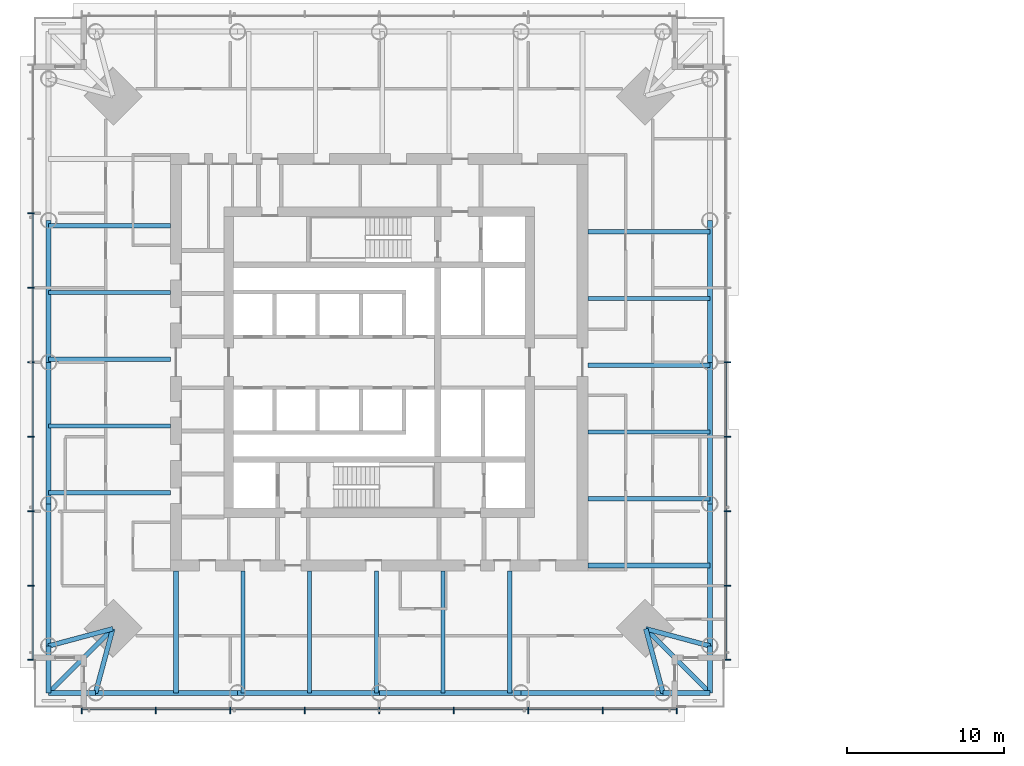
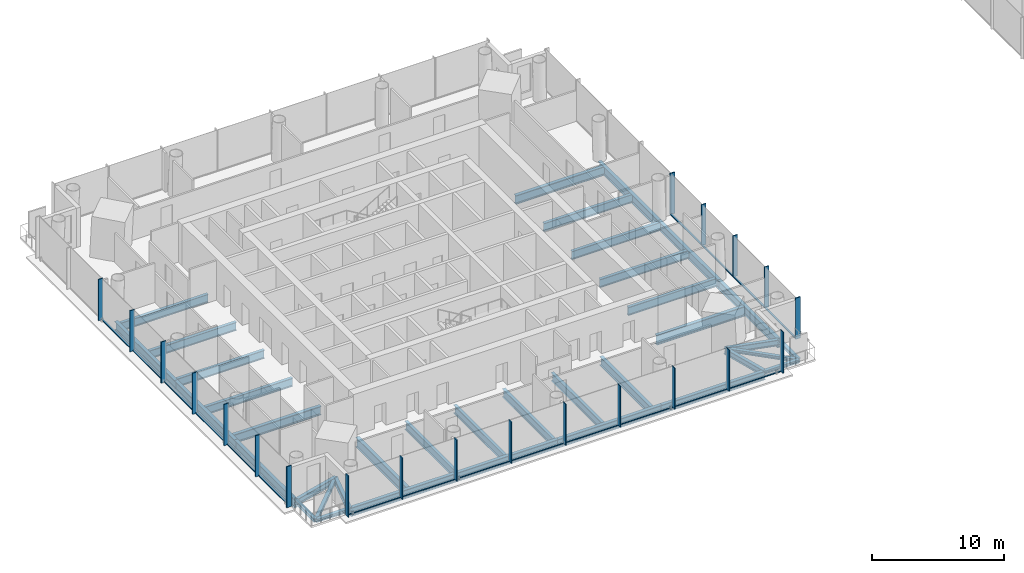
# One storey, part 2 of 27: 39 members, 37 beams, 3 elements without a shape of their own.
"""IFC4 building model written with IfcOpenShell, lengths in metres."""

import ifcopenshell
import ifcopenshell.guid

model = None  # the IFC model being written
_history = None  # IfcOwnerHistory: only IFC2X3 demands one
_inside = {}  # id of a spatial element -> (the spatial element, [elements in it])
_under = {}  # id of a project, library or spatial element -> (it, [spatial elements below it])
_declared = {}  # id of a project -> (the project, [libraries it declares])
_typed = {}  # id of a type object -> (the type object, [elements of that type])
_made_of = {}  # id of a material, layer set ... -> (it, [elements and type objects made of it])


def new_model(schema):
    """Start an empty IFC model of exactly this schema.

    Asked for "IFC4X3", IfcOpenShell would pick the latest addendum, in which some entities
    have other attributes; the version numbers below select the first issue.
    IFC2X3 requires an IfcOwnerHistory on every rooted entity: one is made here for all.
    """
    global model, _history
    if schema == "IFC4X3":
        model = ifcopenshell.file(schema_version=(4, 3, 0, 0))
    else:
        model = ifcopenshell.file(schema=schema)
    _inside.clear()
    _under.clear()
    _declared.clear()
    _typed.clear()
    _made_of.clear()
    _history = None
    if model.schema == "IFC2X3":
        org = make("IfcOrganization", Name="unknown")
        user = make(
            "IfcPersonAndOrganization",
            ThePerson=make("IfcPerson", FamilyName="unknown"),
            TheOrganization=org,
        )
        app = make(
            "IfcApplication",
            ApplicationDeveloper=org,
            Version="unknown",
            ApplicationFullName="unknown",
            ApplicationIdentifier="unknown",
        )
        _history = make(
            "IfcOwnerHistory",
            OwningUser=user,
            OwningApplication=app,
            ChangeAction="ADDED",
            CreationDate=0,
        )
    return model


def make(cls, **values):
    """One entity of the class cls with the attributes given. An attribute that is None is left unset."""
    return model.create_entity(
        cls, **{name: value for name, value in values.items() if value is not None}
    )


def rooted(cls, **values):
    """An entity with a GlobalId (a new one), such as an element, a storey or a relation."""
    return make(cls, GlobalId=ifcopenshell.guid.new(), OwnerHistory=_history, **values)


def si_unit(unit_type, name, prefix=None):
    """IfcSIUnit, for example si_unit("LENGTHUNIT", "METRE", prefix="MILLI")."""
    return make("IfcSIUnit", UnitType=unit_type, Prefix=prefix, Name=name)


def assignment(units):
    """IfcUnitAssignment: the units of a project."""
    return None if units is None else make("IfcUnitAssignment", Units=units)


def point(xyz):
    """IfcCartesianPoint."""
    return None if xyz is None else make("IfcCartesianPoint", Coordinates=xyz)


def direction(xyz):
    """IfcDirection."""
    return None if xyz is None else make("IfcDirection", DirectionRatios=xyz)


def frame(location, z_axis=None, x_axis=None):
    """IfcAxis2Placement3D, a coordinate frame: its origin and axes. An axis left out is left unset."""
    return make(
        "IfcAxis2Placement3D",
        Location=point(location),
        Axis=direction(z_axis),
        RefDirection=direction(x_axis),
    )


def frame_2d(location, x_axis=None):
    """IfcAxis2Placement2D, a coordinate frame in the plane: its origin and x axis."""
    return make(
        "IfcAxis2Placement2D", Location=point(location), RefDirection=direction(x_axis)
    )


def origin():
    """The frame at (0, 0, 0) with its axes left unset."""
    return frame((0.0, 0.0, 0.0))


def origin_2d():
    """The frame at (0, 0) in the plane with its x axis left unset."""
    return frame_2d((0.0, 0.0))


def place(relative_to, where):
    """IfcLocalPlacement: puts the frame where relative to a parent placement (None: the world)."""
    return make(
        "IfcLocalPlacement", PlacementRelTo=relative_to, RelativePlacement=where
    )


def context(
    kind, dimensions, precision=None, world=None, true_north=None, identifier=None
):
    """IfcGeometricRepresentationContext, for example the 3D "Model" context."""
    return make(
        "IfcGeometricRepresentationContext",
        ContextIdentifier=identifier,
        ContextType=kind,
        CoordinateSpaceDimension=dimensions,
        Precision=precision,
        WorldCoordinateSystem=world,
        TrueNorth=true_north,
    )


def subcontext(parent, identifier, kind, view, scale=None):
    """IfcGeometricRepresentationSubContext, for example "Body" below "Model"."""
    return make(
        "IfcGeometricRepresentationSubContext",
        ContextIdentifier=identifier,
        ContextType=kind,
        ParentContext=parent,
        TargetScale=scale,
        TargetView=view,
    )


def project(units=None, contexts=None):
    """IfcProject with its units and contexts."""
    return rooted(
        "IfcProject",
        Name="project",
        RepresentationContexts=contexts,
        UnitsInContext=assignment(units),
    )


def spatial(cls, under=None, at=None, **own):
    """A site, building, storey or space (cls), placed at a placement, below another one or the project."""
    s = rooted(cls, ObjectPlacement=at, **own)
    if under is not None:
        _under.setdefault(under.id(), (under, []))[1].append(s)
    return s


def profile(cls, at=None, kind="AREA", **sizes):
    """A parametric profile (cls). Its sizes go by their IFC names, for example OverallWidth=200.0."""
    return make(cls, ProfileType=kind, Position=at, **sizes)


def rectangle(**sizes):
    """IfcRectangleProfileDef."""
    return profile("IfcRectangleProfileDef", **sizes)


def i_section(**sizes):
    """IfcIShapeProfileDef."""
    return profile("IfcIShapeProfileDef", **sizes)


def extrude(swept, where, along, depth):
    """IfcExtrudedAreaSolid: the profile swept, set in the frame where, extruded along a direction by depth."""
    return make(
        "IfcExtrudedAreaSolid",
        SweptArea=swept,
        Position=where,
        ExtrudedDirection=direction(along),
        Depth=depth,
    )


def shape(context_of_items, identifier, shape_type, items):
    """IfcShapeRepresentation: the items that make up one representation, for example the "Body"."""
    return make(
        "IfcShapeRepresentation",
        ContextOfItems=context_of_items,
        RepresentationIdentifier=identifier,
        RepresentationType=shape_type,
        Items=items,
    )


def material(Name=None, Category=None):
    """IfcMaterial."""
    return make("IfcMaterial", Name=Name, Category=Category)


def material_profile(
    of_material, cross_section, Name=None, Category=None, Priority=None
):
    """IfcMaterialProfile: a cross section and its material."""
    return make(
        "IfcMaterialProfile",
        Name=Name,
        Material=of_material,
        Profile=cross_section,
        Priority=Priority,
        Category=Category,
    )


def profile_set(profiles, Name=None, composite=None):
    """IfcMaterialProfileSet."""
    return make(
        "IfcMaterialProfileSet",
        Name=Name,
        MaterialProfiles=profiles,
        CompositeProfile=composite,
    )


def made_of(thing, what):
    """Note that an element or type object is made of a material, layer set ...; save() writes the relation."""
    if what is not None:
        _made_of.setdefault(what.id(), (what, []))[1].append(thing)
    return thing


def type_object(cls, material=None, **own):
    """A type object (cls), such as IfcWallType, which elements share."""
    return made_of(rooted(cls, **own), material)


def element(
    cls,
    number,
    at=None,
    inside=None,
    cuts=None,
    type_object=None,
    material=None,
    context=None,
    identifier="Body",
    shape_type=None,
    held_by="IfcProductDefinitionShape",
    body=None,
    shapes=None,
    **own,
):
    """One element of the class cls, such as IfcWall. Its Tag is "e" and its number.

    at: its placement. inside: the storey or other place that contains it. cuts: it is an
    opening in that element (IfcRelVoidsElement). A single representation is given by context,
    identifier, shape_type and body (its items); several are given by shapes. held_by: the class
    of the entity that holds the representations. save() writes the other relations.
    """
    e = rooted(cls, Tag="e%d" % number, ObjectPlacement=at, **own)
    if body is not None:
        shapes = [shape(context, identifier, shape_type, body)]
    if shapes is not None:
        e.Representation = make(held_by, Representations=shapes)
    if inside is not None:
        _inside.setdefault(inside.id(), (inside, []))[1].append(e)
    if cuts is not None:
        rooted(
            "IfcRelVoidsElement", RelatingBuildingElement=cuts, RelatedOpeningElement=e
        )
    if type_object is not None:
        _typed.setdefault(type_object.id(), (type_object, []))[1].append(e)
    return made_of(e, material)


def aggregate(whole, parts):
    """IfcRelAggregates: a whole, such as a stair, and the parts it consists of."""
    return rooted("IfcRelAggregates", RelatingObject=whole, RelatedObjects=parts)


def save(model, path):
    """Write the relations noted so far, then the file.

    IfcRelAggregates (storeys below a building ...), IfcRelContainedInSpatialStructure (elements
    in a storey), IfcRelDefinesByType, IfcRelAssociatesMaterial and IfcRelDeclares: one each for
    every whole, place, type object, material and project.
    """
    for whole, parts in _under.values():
        aggregate(whole, parts)
    for where, things in _inside.values():
        rooted(
            "IfcRelContainedInSpatialStructure",
            RelatedElements=things,
            RelatingStructure=where,
        )
    for kind, things in _typed.values():
        rooted("IfcRelDefinesByType", RelatedObjects=things, RelatingType=kind)
    for what, things in _made_of.values():
        rooted("IfcRelAssociatesMaterial", RelatedObjects=things, RelatingMaterial=what)
    for by, libraries in _declared.values():
        rooted("IfcRelDeclares", RelatingContext=by, RelatedDefinitions=libraries)
    model.write(path)


model = new_model("IFC4")

# Units and contexts
model_context = context("Model", 3, precision=1e-05, world=origin(), true_north=direction((0.0, 1.0)))
body_context = subcontext(model_context, "Body", "Model", "MODEL_VIEW")
ifc_project = project(units=[si_unit("LENGTHUNIT", "METRE"), si_unit("AREAUNIT", "SQUARE_METRE"), si_unit("VOLUMEUNIT", "CUBIC_METRE"), si_unit("PLANEANGLEUNIT", "RADIAN"), si_unit("MASSUNIT", "GRAM", prefix="KILO")], contexts=[model_context])

# Site, building, storey
site_placement = place(None, origin())
site = spatial("IfcSite", under=ifc_project, at=site_placement, CompositionType="ELEMENT")
building_placement = place(site_placement, origin())
building = spatial("IfcBuilding", under=site, at=building_placement, Name="Ostroluk Exchange", CompositionType="ELEMENT")
storey_placement = place(building_placement, frame((0.0, 0.0, 112.199951171875)))
storey = spatial("IfcBuildingStorey", under=building, at=storey_placement, Name="L28", CompositionType="ELEMENT", Elevation=112.199951171875)

# Beams
ifc_material_1 = material(Name="Steel S355", Category="steel")
ifc_material_profile_1 = material_profile(ifc_material_1, i_section(OverallWidth=0.300048828125, OverallDepth=0.300048828125, WebThickness=0.010986328125, FlangeThickness=0.01904296875, FilletRadius=0.027099609375, at=origin_2d()), Name="HEB 300")
ifc_profile_set_1 = profile_set([ifc_material_profile_1], Name="Steel S355")
beam_type_1 = type_object("IfcBeamType", Name="Balcony beam HEB 300", PredefinedType="BEAM", material=ifc_profile_set_1)
for number, where, z_axis, x_axis, name in (
    (1, (23.914306640625, 27.914306640625, -0.329833984375), (0.0, -1.0, 0.0), (1.0, 0.0, 0.0), "T1 west balcony beam a"),
    (2, (26.914306640625, 24.914306640625, -0.329833984375), (-1.0, 0.0, 0.0), (0.0, -1.0, 0.0), "T1 west balcony beam b"),
):
    element("IfcBeam", number, at=place(storey_placement, frame(where, z_axis=z_axis, x_axis=x_axis)), inside=storey, type_object=beam_type_1, Name=name, PredefinedType="BEAM", context=body_context, shape_type="SweptSolid", body=[
        extrude(i_section(OverallWidth=0.300048828125, OverallDepth=0.300048828125, WebThickness=0.010986328125, FlangeThickness=0.01904296875, FilletRadius=0.027099609375, at=origin_2d()), origin(), (0.0, 0.0, 1.0), 3.0),
    ])
beam_1_placement = place(storey_placement, frame((28.014404296875, 29.014404296875, -0.329833984375), z_axis=(-0.707106781187, -0.707106781187, 0.0), x_axis=(0.707106781187, -0.707106781187, 0.0)))
element("IfcBeam", 3, at=beam_1_placement, inside=storey, type_object=beam_type_1, Name="T1 west balcony beam c", PredefinedType="BEAM", context=body_context, shape_type="SweptSolid", body=[
    extrude(i_section(OverallWidth=0.300048828125, OverallDepth=0.300048828125, WebThickness=0.010986328125, FlangeThickness=0.01904296875, FilletRadius=0.027099609375, at=origin_2d()), origin(), (0.0, 0.0, 1.0), 5.79833984375),
])
for number, where, z_axis, x_axis, name in (
    (4, (63.085693359375, 24.914306640625, -0.329833984375), (1.0, 0.0, 0.0), (0.0, 1.0, 0.0), "T1 south balcony beam a"),
    (5, (66.085693359375, 27.914306640625, -0.329833984375), (0.0, -1.0, 0.0), (1.0, 0.0, 0.0), "T1 south balcony beam b"),
):
    element("IfcBeam", number, at=place(storey_placement, frame(where, z_axis=z_axis, x_axis=x_axis)), inside=storey, type_object=beam_type_1, Name=name, PredefinedType="BEAM", context=body_context, shape_type="SweptSolid", body=[
        extrude(i_section(OverallWidth=0.300048828125, OverallDepth=0.300048828125, WebThickness=0.010986328125, FlangeThickness=0.01904296875, FilletRadius=0.027099609375, at=origin_2d()), origin(), (0.0, 0.0, 1.0), 3.0),
    ])
beam_2_placement = place(storey_placement, frame((61.985595703125, 29.014404296875, -0.329833984375), z_axis=(0.707106781187, -0.707106781187, 0.0), x_axis=(0.707106781187, 0.707106781187, 0.0)))
element("IfcBeam", 6, at=beam_2_placement, inside=storey, type_object=beam_type_1, Name="T1 south balcony beam c", PredefinedType="BEAM", context=body_context, shape_type="SweptSolid", body=[
    extrude(i_section(OverallWidth=0.300048828125, OverallDepth=0.300048828125, WebThickness=0.010986328125, FlangeThickness=0.01904296875, FilletRadius=0.027099609375, at=origin_2d()), origin(), (0.0, 0.0, 1.0), 5.79833984375),
])
ifc_material_2 = material(Name="Steel S355", Category="steel")
ifc_material_profile_2 = material_profile(ifc_material_2, i_section(OverallWidth=0.300048828125, OverallDepth=0.550048828125, WebThickness=0.014892578125, FlangeThickness=0.029052734375, FilletRadius=0.027099609375, at=origin_2d()), Name="HEB 550")
ifc_profile_set_2 = profile_set([ifc_material_profile_2], Name="Steel S355")
beam_type_2 = type_object("IfcBeamType", Name="Corner edge beam HEB 550", PredefinedType="SPANDREL", material=ifc_profile_set_2)
for number, where, z_axis, x_axis, name in (
    (7, (28.014404296875, 29.014404296875, -0.454833984375), (-0.965838624319, -0.259144268261, 0.0), (0.259144268261, -0.965838624319, 0.0), "T1 west corner edge beam a"),
    (8, (28.014404296875, 29.014404296875, -0.454833984375), (-0.259144268261, -0.965838624319, 0.0), (0.965838624319, -0.259144268261, 0.0), "T1 west corner edge beam b"),
    (9, (61.985595703125, 29.014404296875, -0.454833984375), (0.259144268261, -0.965838624319, 0.0), (0.965838624319, 0.259144268261, 0.0), "T1 south corner edge beam a"),
    (10, (61.985595703125, 29.014404296875, -0.454833984375), (0.965838624319, -0.259144268261, 0.0), (0.259144268261, 0.965838624319, 0.0), "T1 south corner edge beam b"),
):
    element("IfcBeam", number, at=place(storey_placement, frame(where, z_axis=z_axis, x_axis=x_axis)), inside=storey, type_object=beam_type_2, Name=name, PredefinedType="SPANDREL", context=body_context, shape_type="SweptSolid", body=[
        extrude(i_section(OverallWidth=0.300048828125, OverallDepth=0.550048828125, WebThickness=0.014892578125, FlangeThickness=0.029052734375, FilletRadius=0.027099609375, at=origin_2d()), origin(), (0.0, 0.0, 1.0), 4.2451171875),
    ])
ifc_material_3 = material(Name="Steel S355", Category="steel")
ifc_material_profile_3 = material_profile(ifc_material_3, i_section(OverallWidth=0.302978515625, OverallDepth=0.81396484375, WebThickness=0.02099609375, FlangeThickness=0.0400390625, FilletRadius=0.030029296875, at=origin_2d()), Name="HEM 800")
ifc_profile_set_3 = profile_set([ifc_material_profile_3], Name="Steel S355")
beam_type_3 = type_object("IfcBeamType", Name="Floor beam HEM 800", PredefinedType="BEAM", material=ifc_profile_set_3)
for number, where, z_axis, x_axis, name in (
    (11, (58.300048828125, 54.322265625, -0.5869140625), (1.0, 0.0, 0.0), (0.0, 1.0, 0.0), "T1 east floor beam 5"),
    (12, (31.699951171875, 37.677734375, -0.5869140625), (-1.0, 0.0, 0.0), (0.0, -1.0, 0.0), "T1 west floor beam 5"),
    (13, (53.322265625, 32.699951171875, -0.5869140625), (0.0, -1.0, 0.0), (1.0, 0.0, 0.0), "T1 south floor beam 5"),
):
    element("IfcBeam", number, at=place(storey_placement, frame(where, z_axis=z_axis, x_axis=x_axis)), inside=storey, type_object=beam_type_3, Name=name, PredefinedType="BEAM", context=body_context, shape_type="SweptSolid", body=[
        extrude(i_section(OverallWidth=0.302978515625, OverallDepth=0.81396484375, WebThickness=0.02099609375, FlangeThickness=0.0400390625, FilletRadius=0.030029296875, at=origin_2d()), origin(), (0.0, 0.0, 1.0), 7.78564453125),
    ])
ifc_material_4 = material(Name="Steel S355", Category="steel")
ifc_material_profile_4 = material_profile(ifc_material_4, i_section(OverallWidth=0.26708984375, OverallDepth=0.761962890625, WebThickness=0.014404296875, FlangeThickness=0.021484375, FilletRadius=0.01708984375, at=origin_2d()), Name="IPE 750x173")
ifc_profile_set_4 = profile_set([ifc_material_profile_4], Name="Steel S355")
beam_type_4 = type_object("IfcBeamType", Name="Floor beam IPE 750x173", PredefinedType="BEAM", material=ifc_profile_set_4)
for number, where, z_axis, x_axis, name in (
    (14, (58.300048828125, 37.304443359375, -0.56103515625), (1.0, 0.0, 0.0), (0.0, 1.0, 0.0), "T1 east floor beam 1"),
    (15, (58.300048828125, 41.558837890625, -0.56103515625), (1.0, 0.0, 0.0), (0.0, 1.0, 0.0), "T1 east floor beam 2"),
    (16, (58.300048828125, 45.8134765625, -0.56103515625), (1.0, 0.0, 0.0), (0.0, 1.0, 0.0), "T1 east floor beam 3"),
    (17, (58.300048828125, 50.06787109375, -0.56103515625), (1.0, 0.0, 0.0), (0.0, 1.0, 0.0), "T1 east floor beam 4"),
    (18, (31.699951171875, 54.695556640625, -0.56103515625), (-1.0, 0.0, 0.0), (0.0, -1.0, 0.0), "T1 west floor beam 1"),
    (19, (31.699951171875, 50.441162109375, -0.56103515625), (-1.0, 0.0, 0.0), (0.0, -1.0, 0.0), "T1 west floor beam 2"),
    (20, (31.699951171875, 46.1865234375, -0.56103515625), (-1.0, 0.0, 0.0), (0.0, -1.0, 0.0), "T1 west floor beam 3"),
    (21, (31.699951171875, 41.93212890625, -0.56103515625), (-1.0, 0.0, 0.0), (0.0, -1.0, 0.0), "T1 west floor beam 4"),
    (22, (36.304443359375, 32.699951171875, -0.56103515625), (0.0, -1.0, 0.0), (1.0, 0.0, 0.0), "T1 south floor beam 1"),
    (23, (40.558837890625, 32.699951171875, -0.56103515625), (0.0, -1.0, 0.0), (1.0, 0.0, 0.0), "T1 south floor beam 2"),
    (24, (44.8134765625, 32.699951171875, -0.56103515625), (0.0, -1.0, 0.0), (1.0, 0.0, 0.0), "T1 south floor beam 3"),
    (25, (49.06787109375, 32.699951171875, -0.56103515625), (0.0, -1.0, 0.0), (1.0, 0.0, 0.0), "T1 south floor beam 4"),
):
    element("IfcBeam", number, at=place(storey_placement, frame(where, z_axis=z_axis, x_axis=x_axis)), inside=storey, type_object=beam_type_4, Name=name, PredefinedType="BEAM", context=body_context, shape_type="SweptSolid", body=[
        extrude(i_section(OverallWidth=0.26708984375, OverallDepth=0.761962890625, WebThickness=0.014404296875, FlangeThickness=0.021484375, FilletRadius=0.01708984375, at=origin_2d()), origin(), (0.0, 0.0, 1.0), 7.78564453125),
    ])
ifc_material_5 = material(Name="Steel S355", Category="steel")
ifc_material_profile_5 = material_profile(ifc_material_5, i_section(OverallWidth=0.300048828125, OverallDepth=0.89990234375, WebThickness=0.0185546875, FlangeThickness=0.034912109375, FilletRadius=0.030029296875, at=origin_2d()), Name="HEB 900")
ifc_profile_set_5 = profile_set([ifc_material_profile_5], Name="Steel S355")
beam_type_5 = type_object("IfcBeamType", Name="Girder HEB 900", PredefinedType="BEAM", material=ifc_profile_set_5)
for number, where, z_axis, x_axis, name in (
    (26, (32.050048828125, 32.699951171875, -0.6298828125), (0.0, -1.0, 0.0), (1.0, 0.0, 0.0), "T1 west girder"),
    (27, (58.300048828125, 33.050048828125, -0.6298828125), (1.0, 0.0, 0.0), (0.0, 1.0, 0.0), "T1 south girder"),
):
    element("IfcBeam", number, at=place(storey_placement, frame(where, z_axis=z_axis, x_axis=x_axis)), inside=storey, type_object=beam_type_5, Name=name, PredefinedType="BEAM", context=body_context, shape_type="SweptSolid", body=[
        extrude(i_section(OverallWidth=0.300048828125, OverallDepth=0.89990234375, WebThickness=0.0185546875, FlangeThickness=0.034912109375, FilletRadius=0.030029296875, at=origin_2d()), origin(), (0.0, 0.0, 1.0), 7.78564453125),
    ])
ifc_material_6 = material(Name="Steel S355", Category="steel")
ifc_material_profile_6 = material_profile(ifc_material_6, i_section(OverallWidth=0.300048828125, OverallDepth=0.800048828125, WebThickness=0.017578125, FlangeThickness=0.032958984375, FilletRadius=0.030029296875, at=origin_2d()), Name="HEB 800")
ifc_profile_set_6 = profile_set([ifc_material_profile_6], Name="Steel S355")
beam_type_6 = type_object("IfcBeamType", Name="Moment-connected edge beam HEB 800", PredefinedType="SPANDREL", material=ifc_profile_set_6)
beam_3_placement = place(storey_placement, frame((66.085693359375, 27.914306640625, -0.579833984375), z_axis=(0.0, 1.0, 0.0), x_axis=(-1.0, 0.0, 0.0)))
element("IfcBeam", 28, at=beam_3_placement, inside=storey, type_object=beam_type_6, Name="T1 east edge beam 1", PredefinedType="SPANDREL", context=body_context, shape_type="SweptSolid", body=[
    extrude(i_section(OverallWidth=0.300048828125, OverallDepth=0.800048828125, WebThickness=0.017578125, FlangeThickness=0.032958984375, FilletRadius=0.030029296875, at=origin_2d()), origin(), (0.0, 0.0, 1.0), 9.042724609375),
])
for number, where, z_axis, x_axis, name in (
    (29, (66.085693359375, 36.95703125, -0.579833984375), (0.0, 1.0, 0.0), (-1.0, 0.0, 0.0), "T1 east edge beam 2"),
    (30, (66.085693359375, 46.0, -0.579833984375), (0.0, 1.0, 0.0), (-1.0, 0.0, 0.0), "T1 east edge beam 3"),
    (31, (23.914306640625, 55.04296875, -0.579833984375), (0.0, -1.0, 0.0), (1.0, 0.0, 0.0), "T1 west edge beam 2"),
    (32, (23.914306640625, 46.0, -0.579833984375), (0.0, -1.0, 0.0), (1.0, 0.0, 0.0), "T1 west edge beam 3"),
):
    element("IfcBeam", number, at=place(storey_placement, frame(where, z_axis=z_axis, x_axis=x_axis)), inside=storey, type_object=beam_type_6, Name=name, PredefinedType="SPANDREL", context=body_context, shape_type="SweptSolid", body=[
        extrude(i_section(OverallWidth=0.300048828125, OverallDepth=0.800048828125, WebThickness=0.017578125, FlangeThickness=0.032958984375, FilletRadius=0.030029296875, at=origin_2d()), origin(), (0.0, 0.0, 1.0), 9.04296875),
    ])
for number, where, z_axis, x_axis, name in (
    (33, (23.914306640625, 36.95703125, -0.579833984375), (0.0, -1.0, 0.0), (1.0, 0.0, 0.0), "T1 west edge beam 4"),
    (34, (26.914306640625, 24.914306640625, -0.579833984375), (1.0, 0.0, 0.0), (0.0, 1.0, 0.0), "T1 south edge beam 1"),
):
    element("IfcBeam", number, at=place(storey_placement, frame(where, z_axis=z_axis, x_axis=x_axis)), inside=storey, type_object=beam_type_6, Name=name, PredefinedType="SPANDREL", context=body_context, shape_type="SweptSolid", body=[
        extrude(i_section(OverallWidth=0.300048828125, OverallDepth=0.800048828125, WebThickness=0.017578125, FlangeThickness=0.032958984375, FilletRadius=0.030029296875, at=origin_2d()), origin(), (0.0, 0.0, 1.0), 9.042724609375),
    ])
for number, where, z_axis, x_axis, name in (
    (35, (35.95703125, 24.914306640625, -0.579833984375), (1.0, 0.0, 0.0), (0.0, 1.0, 0.0), "T1 south edge beam 2"),
    (36, (45.0, 24.914306640625, -0.579833984375), (1.0, 0.0, 0.0), (0.0, 1.0, 0.0), "T1 south edge beam 3"),
):
    element("IfcBeam", number, at=place(storey_placement, frame(where, z_axis=z_axis, x_axis=x_axis)), inside=storey, type_object=beam_type_6, Name=name, PredefinedType="SPANDREL", context=body_context, shape_type="SweptSolid", body=[
        extrude(i_section(OverallWidth=0.300048828125, OverallDepth=0.800048828125, WebThickness=0.017578125, FlangeThickness=0.032958984375, FilletRadius=0.030029296875, at=origin_2d()), origin(), (0.0, 0.0, 1.0), 9.04296875),
    ])
beam_4_placement = place(storey_placement, frame((54.04296875, 24.914306640625, -0.579833984375), z_axis=(1.0, 0.0, 0.0), x_axis=(0.0, 1.0, 0.0)))
element("IfcBeam", 37, at=beam_4_placement, inside=storey, type_object=beam_type_6, Name="T1 south edge beam 4", PredefinedType="SPANDREL", context=body_context, shape_type="SweptSolid", body=[
    extrude(i_section(OverallWidth=0.300048828125, OverallDepth=0.800048828125, WebThickness=0.017578125, FlangeThickness=0.032958984375, FilletRadius=0.030029296875, at=origin_2d()), origin(), (0.0, 0.0, 1.0), 9.042724609375),
])

# Curtain wall, members
ifc_material_7 = material(Name="Laminated clear glass", Category="glass")
curtain_wall_type = type_object("IfcCurtainWallType", Name="Office tower facade", PredefinedType="USERDEFINED", material=ifc_material_7)
curtain_wall_1_placement = place(storey_placement, origin())
curtain_wall_1 = element("IfcCurtainWall", 38, at=curtain_wall_1_placement, inside=storey, type_object=curtain_wall_type, Name="Office tower south facade L28", ObjectType="UNITISED CURTAIN WALL", PredefinedType="USERDEFINED")
ifc_material_8 = material(Name="Aluminium mullion", Category="aluminium")
ifc_material_profile_7 = material_profile(ifc_material_8, rectangle(XDim=0.14990234375, YDim=0.080078125, at=origin_2d()), Name="Sill transom 80 x 150")
ifc_profile_set_7 = profile_set([ifc_material_profile_7], Name="Aluminium mullion")
member_type_1 = type_object("IfcMemberType", Name="Sill transom 80 x 150", PredefinedType="USERDEFINED", material=ifc_profile_set_7)
member_1_placement = place(storey_placement, frame((26.080078125, 23.925048828125, 0.0400390625), z_axis=(1.0, 0.0, 0.0), x_axis=(0.0, 1.0, 0.0)))
member_1 = element("IfcMember", 39, at=member_1_placement, type_object=member_type_1, Name="CW-O1 transom 1.1", ObjectType="TRANSOM", PredefinedType="USERDEFINED", context=body_context, shape_type="SweptSolid", body=[
    extrude(rectangle(XDim=0.14990234375, YDim=0.080078125, at=origin_2d()), origin(), (0.0, 0.0, 1.0), 4.6298828125),
])
member_2_placement = place(storey_placement, frame((30.7900390625, 23.925048828125, 0.0400390625), z_axis=(1.0, 0.0, 0.0), x_axis=(0.0, 1.0, 0.0)))
member_2 = element("IfcMember", 40, at=member_2_placement, type_object=member_type_1, Name="CW-O1 transom 2.1", ObjectType="TRANSOM", PredefinedType="USERDEFINED", context=body_context, shape_type="SweptSolid", body=[
    extrude(rectangle(XDim=0.14990234375, YDim=0.080078125, at=origin_2d()), origin(), (0.0, 0.0, 1.0), 4.669921875),
])
member_3_placement = place(storey_placement, frame((35.5400390625, 23.925048828125, 0.0400390625), z_axis=(1.0, 0.0, 0.0), x_axis=(0.0, 1.0, 0.0)))
member_3 = element("IfcMember", 41, at=member_3_placement, type_object=member_type_1, Name="CW-O1 transom 3.1", ObjectType="TRANSOM", PredefinedType="USERDEFINED", context=body_context, shape_type="SweptSolid", body=[
    extrude(rectangle(XDim=0.14990234375, YDim=0.080078125, at=origin_2d()), origin(), (0.0, 0.0, 1.0), 4.669921875),
])
member_4_placement = place(storey_placement, frame((40.2900390625, 23.925048828125, 0.0400390625), z_axis=(1.0, 0.0, 0.0), x_axis=(0.0, 1.0, 0.0)))
member_4 = element("IfcMember", 42, at=member_4_placement, type_object=member_type_1, Name="CW-O1 transom 4.1", ObjectType="TRANSOM", PredefinedType="USERDEFINED", context=body_context, shape_type="SweptSolid", body=[
    extrude(rectangle(XDim=0.14990234375, YDim=0.080078125, at=origin_2d()), origin(), (0.0, 0.0, 1.0), 4.669921875),
])
member_5_placement = place(storey_placement, frame((45.0400390625, 23.925048828125, 0.0400390625), z_axis=(1.0, 0.0, 0.0), x_axis=(0.0, 1.0, 0.0)))
member_5 = element("IfcMember", 43, at=member_5_placement, type_object=member_type_1, Name="CW-O1 transom 5.1", ObjectType="TRANSOM", PredefinedType="USERDEFINED", context=body_context, shape_type="SweptSolid", body=[
    extrude(rectangle(XDim=0.14990234375, YDim=0.080078125, at=origin_2d()), origin(), (0.0, 0.0, 1.0), 4.669921875),
])
member_6_placement = place(storey_placement, frame((49.7900390625, 23.925048828125, 0.0400390625), z_axis=(1.0, 0.0, 0.0), x_axis=(0.0, 1.0, 0.0)))
member_6 = element("IfcMember", 44, at=member_6_placement, type_object=member_type_1, Name="CW-O1 transom 6.1", ObjectType="TRANSOM", PredefinedType="USERDEFINED", context=body_context, shape_type="SweptSolid", body=[
    extrude(rectangle(XDim=0.14990234375, YDim=0.080078125, at=origin_2d()), origin(), (0.0, 0.0, 1.0), 4.669921875),
])
member_7_placement = place(storey_placement, frame((54.5400390625, 23.925048828125, 0.0400390625), z_axis=(1.0, 0.0, 0.0), x_axis=(0.0, 1.0, 0.0)))
member_7 = element("IfcMember", 45, at=member_7_placement, type_object=member_type_1, Name="CW-O1 transom 7.1", ObjectType="TRANSOM", PredefinedType="USERDEFINED", context=body_context, shape_type="SweptSolid", body=[
    extrude(rectangle(XDim=0.14990234375, YDim=0.080078125, at=origin_2d()), origin(), (0.0, 0.0, 1.0), 4.669921875),
])
member_8_placement = place(storey_placement, frame((59.2900390625, 23.925048828125, 0.0400390625), z_axis=(1.0, 0.0, 0.0), x_axis=(0.0, 1.0, 0.0)))
member_8 = element("IfcMember", 46, at=member_8_placement, type_object=member_type_1, Name="CW-O1 transom 8.1", ObjectType="TRANSOM", PredefinedType="USERDEFINED", context=body_context, shape_type="SweptSolid", body=[
    extrude(rectangle(XDim=0.14990234375, YDim=0.080078125, at=origin_2d()), origin(), (0.0, 0.0, 1.0), 4.6298828125),
])

curtain_wall_2_placement = place(storey_placement, origin())
curtain_wall_2 = element("IfcCurtainWall", 47, at=curtain_wall_2_placement, inside=storey, type_object=curtain_wall_type, Name="Office tower east facade L28", ObjectType="UNITISED CURTAIN WALL", PredefinedType="USERDEFINED")
member_9_placement = place(storey_placement, frame((67.074951171875, 27.080078125, 0.0400390625), z_axis=(0.0, 1.0, 0.0), x_axis=(-1.0, 0.0, 0.0)))
member_9 = element("IfcMember", 48, at=member_9_placement, type_object=member_type_1, Name="CW-O1 transom 1.1", ObjectType="TRANSOM", PredefinedType="USERDEFINED", context=body_context, shape_type="SweptSolid", body=[
    extrude(rectangle(XDim=0.14990234375, YDim=0.080078125, at=origin_2d()), origin(), (0.0, 0.0, 1.0), 4.6298828125),
])
member_10_placement = place(storey_placement, frame((67.074951171875, 31.7900390625, 0.0400390625), z_axis=(0.0, 1.0, 0.0), x_axis=(-1.0, 0.0, 0.0)))
member_10 = element("IfcMember", 49, at=member_10_placement, type_object=member_type_1, Name="CW-O1 transom 2.1", ObjectType="TRANSOM", PredefinedType="USERDEFINED", context=body_context, shape_type="SweptSolid", body=[
    extrude(rectangle(XDim=0.14990234375, YDim=0.080078125, at=origin_2d()), origin(), (0.0, 0.0, 1.0), 4.669921875),
])
member_11_placement = place(storey_placement, frame((67.074951171875, 36.5400390625, 0.0400390625), z_axis=(0.0, 1.0, 0.0), x_axis=(-1.0, 0.0, 0.0)))
member_11 = element("IfcMember", 50, at=member_11_placement, type_object=member_type_1, Name="CW-O1 transom 3.1", ObjectType="TRANSOM", PredefinedType="USERDEFINED", context=body_context, shape_type="SweptSolid", body=[
    extrude(rectangle(XDim=0.14990234375, YDim=0.080078125, at=origin_2d()), origin(), (0.0, 0.0, 1.0), 4.669921875),
])
member_12_placement = place(storey_placement, frame((67.074951171875, 41.2900390625, 0.0400390625), z_axis=(0.0, 1.0, 0.0), x_axis=(-1.0, 0.0, 0.0)))
member_12 = element("IfcMember", 51, at=member_12_placement, type_object=member_type_1, Name="CW-O1 transom 4.1", ObjectType="TRANSOM", PredefinedType="USERDEFINED", context=body_context, shape_type="SweptSolid", body=[
    extrude(rectangle(XDim=0.14990234375, YDim=0.080078125, at=origin_2d()), origin(), (0.0, 0.0, 1.0), 4.669921875),
])

curtain_wall_3_placement = place(storey_placement, origin())
curtain_wall_3 = element("IfcCurtainWall", 52, at=curtain_wall_3_placement, inside=storey, type_object=curtain_wall_type, Name="Office tower west facade L28", ObjectType="UNITISED CURTAIN WALL", PredefinedType="USERDEFINED")
member_13_placement = place(storey_placement, frame((22.925048828125, 55.4599609375, 0.0400390625), z_axis=(0.0, -1.0, 0.0), x_axis=(1.0, 0.0, 0.0)))
member_13 = element("IfcMember", 53, at=member_13_placement, type_object=member_type_1, Name="CW-O1 transom 3.1", ObjectType="TRANSOM", PredefinedType="USERDEFINED", context=body_context, shape_type="SweptSolid", body=[
    extrude(rectangle(XDim=0.14990234375, YDim=0.080078125, at=origin_2d()), origin(), (0.0, 0.0, 1.0), 4.669921875),
])
member_14_placement = place(storey_placement, frame((22.925048828125, 50.7099609375, 0.0400390625), z_axis=(0.0, -1.0, 0.0), x_axis=(1.0, 0.0, 0.0)))
member_14 = element("IfcMember", 54, at=member_14_placement, type_object=member_type_1, Name="CW-O1 transom 4.1", ObjectType="TRANSOM", PredefinedType="USERDEFINED", context=body_context, shape_type="SweptSolid", body=[
    extrude(rectangle(XDim=0.14990234375, YDim=0.080078125, at=origin_2d()), origin(), (0.0, 0.0, 1.0), 4.669921875),
])
member_15_placement = place(storey_placement, frame((22.925048828125, 45.9599609375, 0.0400390625), z_axis=(0.0, -1.0, 0.0), x_axis=(1.0, 0.0, 0.0)))
member_15 = element("IfcMember", 55, at=member_15_placement, type_object=member_type_1, Name="CW-O1 transom 5.1", ObjectType="TRANSOM", PredefinedType="USERDEFINED", context=body_context, shape_type="SweptSolid", body=[
    extrude(rectangle(XDim=0.14990234375, YDim=0.080078125, at=origin_2d()), origin(), (0.0, 0.0, 1.0), 4.669921875),
])
member_16_placement = place(storey_placement, frame((22.925048828125, 41.2099609375, 0.0400390625), z_axis=(0.0, -1.0, 0.0), x_axis=(1.0, 0.0, 0.0)))
member_16 = element("IfcMember", 56, at=member_16_placement, type_object=member_type_1, Name="CW-O1 transom 6.1", ObjectType="TRANSOM", PredefinedType="USERDEFINED", context=body_context, shape_type="SweptSolid", body=[
    extrude(rectangle(XDim=0.14990234375, YDim=0.080078125, at=origin_2d()), origin(), (0.0, 0.0, 1.0), 4.669921875),
])
member_17_placement = place(storey_placement, frame((22.925048828125, 36.4599609375, 0.0400390625), z_axis=(0.0, -1.0, 0.0), x_axis=(1.0, 0.0, 0.0)))
member_17 = element("IfcMember", 57, at=member_17_placement, type_object=member_type_1, Name="CW-O1 transom 7.1", ObjectType="TRANSOM", PredefinedType="USERDEFINED", context=body_context, shape_type="SweptSolid", body=[
    extrude(rectangle(XDim=0.14990234375, YDim=0.080078125, at=origin_2d()), origin(), (0.0, 0.0, 1.0), 4.669921875),
])
member_18_placement = place(storey_placement, frame((22.925048828125, 31.7099609375, 0.0400390625), z_axis=(0.0, -1.0, 0.0), x_axis=(1.0, 0.0, 0.0)))
member_18 = element("IfcMember", 58, at=member_18_placement, type_object=member_type_1, Name="CW-O1 transom 8.1", ObjectType="TRANSOM", PredefinedType="USERDEFINED", context=body_context, shape_type="SweptSolid", body=[
    extrude(rectangle(XDim=0.14990234375, YDim=0.080078125, at=origin_2d()), origin(), (0.0, 0.0, 1.0), 4.6298828125),
])

# Member
ifc_material_9 = material(Name="Aluminium mullion with limestone facing", Category="masonry")
ifc_material_profile_8 = material_profile(ifc_material_9, rectangle(XDim=0.39990234375, YDim=0.080078125, at=origin_2d()), Name="Tracery mullion 80 x 400")
ifc_profile_set_8 = profile_set([ifc_material_profile_8], Name="Aluminium mullion with limestone facing")
member_type_2 = type_object("IfcMemberType", Name="Tracery mullion 80 x 400", PredefinedType="MULLION", material=ifc_profile_set_8)
member_19_placement = place(storey_placement, frame((26.0400390625, 23.800048828125, 0.0), z_axis=(0.0, 0.0, 1.0), x_axis=(0.0, 1.0, 0.0)))
member_19 = element("IfcMember", 59, at=member_19_placement, type_object=member_type_2, Name="CW-O1 mullion 1", PredefinedType="MULLION", context=body_context, shape_type="SweptSolid", body=[
    extrude(rectangle(XDim=0.39990234375, YDim=0.080078125, at=origin_2d()), origin(), (0.0, 0.0, 1.0), 3.800048828125),
])

member_20_placement = place(storey_placement, frame((30.75, 23.800048828125, 0.0), z_axis=(0.0, 0.0, 1.0), x_axis=(0.0, 1.0, 0.0)))
member_20 = element("IfcMember", 60, at=member_20_placement, type_object=member_type_2, Name="CW-O1 mullion 2", PredefinedType="MULLION", context=body_context, shape_type="SweptSolid", body=[
    extrude(rectangle(XDim=0.39990234375, YDim=0.080078125, at=origin_2d()), origin(), (0.0, 0.0, 1.0), 3.800048828125),
])

member_21_placement = place(storey_placement, frame((35.5, 23.800048828125, 0.0), z_axis=(0.0, 0.0, 1.0), x_axis=(0.0, 1.0, 0.0)))
member_21 = element("IfcMember", 61, at=member_21_placement, type_object=member_type_2, Name="CW-O1 mullion 3", PredefinedType="MULLION", context=body_context, shape_type="SweptSolid", body=[
    extrude(rectangle(XDim=0.39990234375, YDim=0.080078125, at=origin_2d()), origin(), (0.0, 0.0, 1.0), 3.800048828125),
])

member_22_placement = place(storey_placement, frame((40.25, 23.800048828125, 0.0), z_axis=(0.0, 0.0, 1.0), x_axis=(0.0, 1.0, 0.0)))
member_22 = element("IfcMember", 62, at=member_22_placement, type_object=member_type_2, Name="CW-O1 mullion 4", PredefinedType="MULLION", context=body_context, shape_type="SweptSolid", body=[
    extrude(rectangle(XDim=0.39990234375, YDim=0.080078125, at=origin_2d()), origin(), (0.0, 0.0, 1.0), 3.800048828125),
])

member_23_placement = place(storey_placement, frame((45.0, 23.800048828125, 0.0), z_axis=(0.0, 0.0, 1.0), x_axis=(0.0, 1.0, 0.0)))
member_23 = element("IfcMember", 63, at=member_23_placement, type_object=member_type_2, Name="CW-O1 mullion 5", PredefinedType="MULLION", context=body_context, shape_type="SweptSolid", body=[
    extrude(rectangle(XDim=0.39990234375, YDim=0.080078125, at=origin_2d()), origin(), (0.0, 0.0, 1.0), 3.800048828125),
])

member_24_placement = place(storey_placement, frame((49.75, 23.800048828125, 0.0), z_axis=(0.0, 0.0, 1.0), x_axis=(0.0, 1.0, 0.0)))
member_24 = element("IfcMember", 64, at=member_24_placement, type_object=member_type_2, Name="CW-O1 mullion 6", PredefinedType="MULLION", context=body_context, shape_type="SweptSolid", body=[
    extrude(rectangle(XDim=0.39990234375, YDim=0.080078125, at=origin_2d()), origin(), (0.0, 0.0, 1.0), 3.800048828125),
])

member_25_placement = place(storey_placement, frame((54.5, 23.800048828125, 0.0), z_axis=(0.0, 0.0, 1.0), x_axis=(0.0, 1.0, 0.0)))
member_25 = element("IfcMember", 65, at=member_25_placement, type_object=member_type_2, Name="CW-O1 mullion 7", PredefinedType="MULLION", context=body_context, shape_type="SweptSolid", body=[
    extrude(rectangle(XDim=0.39990234375, YDim=0.080078125, at=origin_2d()), origin(), (0.0, 0.0, 1.0), 3.800048828125),
])

member_26_placement = place(storey_placement, frame((59.25, 23.800048828125, 0.0), z_axis=(0.0, 0.0, 1.0), x_axis=(0.0, 1.0, 0.0)))
member_26 = element("IfcMember", 66, at=member_26_placement, type_object=member_type_2, Name="CW-O1 mullion 8", PredefinedType="MULLION", context=body_context, shape_type="SweptSolid", body=[
    extrude(rectangle(XDim=0.39990234375, YDim=0.080078125, at=origin_2d()), origin(), (0.0, 0.0, 1.0), 3.800048828125),
])

member_27_placement = place(storey_placement, frame((63.9599609375, 23.800048828125, 0.0), z_axis=(0.0, 0.0, 1.0), x_axis=(0.0, 1.0, 0.0)))
member_27 = element("IfcMember", 67, at=member_27_placement, type_object=member_type_2, Name="CW-O1 mullion 9", PredefinedType="MULLION", context=body_context, shape_type="SweptSolid", body=[
    extrude(rectangle(XDim=0.39990234375, YDim=0.080078125, at=origin_2d()), origin(), (0.0, 0.0, 1.0), 3.800048828125),
])

aggregate(curtain_wall_1, [member_19, member_20, member_21, member_22, member_23, member_24, member_25, member_26, member_27, member_1, member_2, member_3, member_4, member_5, member_6, member_7, member_8])

member_28_placement = place(storey_placement, frame((67.199951171875, 27.0400390625, 0.0), z_axis=(0.0, 0.0, 1.0), x_axis=(-1.0, 0.0, 0.0)))
member_28 = element("IfcMember", 68, at=member_28_placement, type_object=member_type_2, Name="CW-O1 mullion 1", PredefinedType="MULLION", context=body_context, shape_type="SweptSolid", body=[
    extrude(rectangle(XDim=0.39990234375, YDim=0.080078125, at=origin_2d()), origin(), (0.0, 0.0, 1.0), 3.800048828125),
])

member_29_placement = place(storey_placement, frame((67.199951171875, 31.75, 0.0), z_axis=(0.0, 0.0, 1.0), x_axis=(-1.0, 0.0, 0.0)))
member_29 = element("IfcMember", 69, at=member_29_placement, type_object=member_type_2, Name="CW-O1 mullion 2", PredefinedType="MULLION", context=body_context, shape_type="SweptSolid", body=[
    extrude(rectangle(XDim=0.39990234375, YDim=0.080078125, at=origin_2d()), origin(), (0.0, 0.0, 1.0), 3.800048828125),
])

member_30_placement = place(storey_placement, frame((67.199951171875, 36.5, 0.0), z_axis=(0.0, 0.0, 1.0), x_axis=(-1.0, 0.0, 0.0)))
member_30 = element("IfcMember", 70, at=member_30_placement, type_object=member_type_2, Name="CW-O1 mullion 3", PredefinedType="MULLION", context=body_context, shape_type="SweptSolid", body=[
    extrude(rectangle(XDim=0.39990234375, YDim=0.080078125, at=origin_2d()), origin(), (0.0, 0.0, 1.0), 3.800048828125),
])

member_31_placement = place(storey_placement, frame((67.199951171875, 41.25, 0.0), z_axis=(0.0, 0.0, 1.0), x_axis=(-1.0, 0.0, 0.0)))
member_31 = element("IfcMember", 71, at=member_31_placement, type_object=member_type_2, Name="CW-O1 mullion 4", PredefinedType="MULLION", context=body_context, shape_type="SweptSolid", body=[
    extrude(rectangle(XDim=0.39990234375, YDim=0.080078125, at=origin_2d()), origin(), (0.0, 0.0, 1.0), 3.800048828125),
])

member_32_placement = place(storey_placement, frame((67.199951171875, 46.0, 0.0), z_axis=(0.0, 0.0, 1.0), x_axis=(-1.0, 0.0, 0.0)))
member_32 = element("IfcMember", 72, at=member_32_placement, type_object=member_type_2, Name="CW-O1 mullion 5", PredefinedType="MULLION", context=body_context, shape_type="SweptSolid", body=[
    extrude(rectangle(XDim=0.39990234375, YDim=0.080078125, at=origin_2d()), origin(), (0.0, 0.0, 1.0), 3.800048828125),
])

aggregate(curtain_wall_2, [member_28, member_29, member_30, member_31, member_32, member_9, member_10, member_11, member_12])

member_33_placement = place(storey_placement, frame((22.800048828125, 55.5, 0.0), z_axis=(0.0, 0.0, 1.0), x_axis=(1.0, 0.0, 0.0)))
member_33 = element("IfcMember", 73, at=member_33_placement, type_object=member_type_2, Name="CW-O1 mullion 3", PredefinedType="MULLION", context=body_context, shape_type="SweptSolid", body=[
    extrude(rectangle(XDim=0.39990234375, YDim=0.080078125, at=origin_2d()), origin(), (0.0, 0.0, 1.0), 3.800048828125),
])

member_34_placement = place(storey_placement, frame((22.800048828125, 50.75, 0.0), z_axis=(0.0, 0.0, 1.0), x_axis=(1.0, 0.0, 0.0)))
member_34 = element("IfcMember", 74, at=member_34_placement, type_object=member_type_2, Name="CW-O1 mullion 4", PredefinedType="MULLION", context=body_context, shape_type="SweptSolid", body=[
    extrude(rectangle(XDim=0.39990234375, YDim=0.080078125, at=origin_2d()), origin(), (0.0, 0.0, 1.0), 3.800048828125),
])

member_35_placement = place(storey_placement, frame((22.800048828125, 46.0, 0.0), z_axis=(0.0, 0.0, 1.0), x_axis=(1.0, 0.0, 0.0)))
member_35 = element("IfcMember", 75, at=member_35_placement, type_object=member_type_2, Name="CW-O1 mullion 5", PredefinedType="MULLION", context=body_context, shape_type="SweptSolid", body=[
    extrude(rectangle(XDim=0.39990234375, YDim=0.080078125, at=origin_2d()), origin(), (0.0, 0.0, 1.0), 3.800048828125),
])

member_36_placement = place(storey_placement, frame((22.800048828125, 41.25, 0.0), z_axis=(0.0, 0.0, 1.0), x_axis=(1.0, 0.0, 0.0)))
member_36 = element("IfcMember", 76, at=member_36_placement, type_object=member_type_2, Name="CW-O1 mullion 6", PredefinedType="MULLION", context=body_context, shape_type="SweptSolid", body=[
    extrude(rectangle(XDim=0.39990234375, YDim=0.080078125, at=origin_2d()), origin(), (0.0, 0.0, 1.0), 3.800048828125),
])

member_37_placement = place(storey_placement, frame((22.800048828125, 36.5, 0.0), z_axis=(0.0, 0.0, 1.0), x_axis=(1.0, 0.0, 0.0)))
member_37 = element("IfcMember", 77, at=member_37_placement, type_object=member_type_2, Name="CW-O1 mullion 7", PredefinedType="MULLION", context=body_context, shape_type="SweptSolid", body=[
    extrude(rectangle(XDim=0.39990234375, YDim=0.080078125, at=origin_2d()), origin(), (0.0, 0.0, 1.0), 3.800048828125),
])

member_38_placement = place(storey_placement, frame((22.800048828125, 31.75, 0.0), z_axis=(0.0, 0.0, 1.0), x_axis=(1.0, 0.0, 0.0)))
member_38 = element("IfcMember", 78, at=member_38_placement, type_object=member_type_2, Name="CW-O1 mullion 8", PredefinedType="MULLION", context=body_context, shape_type="SweptSolid", body=[
    extrude(rectangle(XDim=0.39990234375, YDim=0.080078125, at=origin_2d()), origin(), (0.0, 0.0, 1.0), 3.800048828125),
])

member_39_placement = place(storey_placement, frame((22.800048828125, 27.0400390625, 0.0), z_axis=(0.0, 0.0, 1.0), x_axis=(1.0, 0.0, 0.0)))
member_39 = element("IfcMember", 79, at=member_39_placement, type_object=member_type_2, Name="CW-O1 mullion 9", PredefinedType="MULLION", context=body_context, shape_type="SweptSolid", body=[
    extrude(rectangle(XDim=0.39990234375, YDim=0.080078125, at=origin_2d()), origin(), (0.0, 0.0, 1.0), 3.800048828125),
])

aggregate(curtain_wall_3, [member_33, member_34, member_35, member_36, member_37, member_38, member_39, member_13, member_14, member_15, member_16, member_17, member_18])

save(model, "model.ifc")
